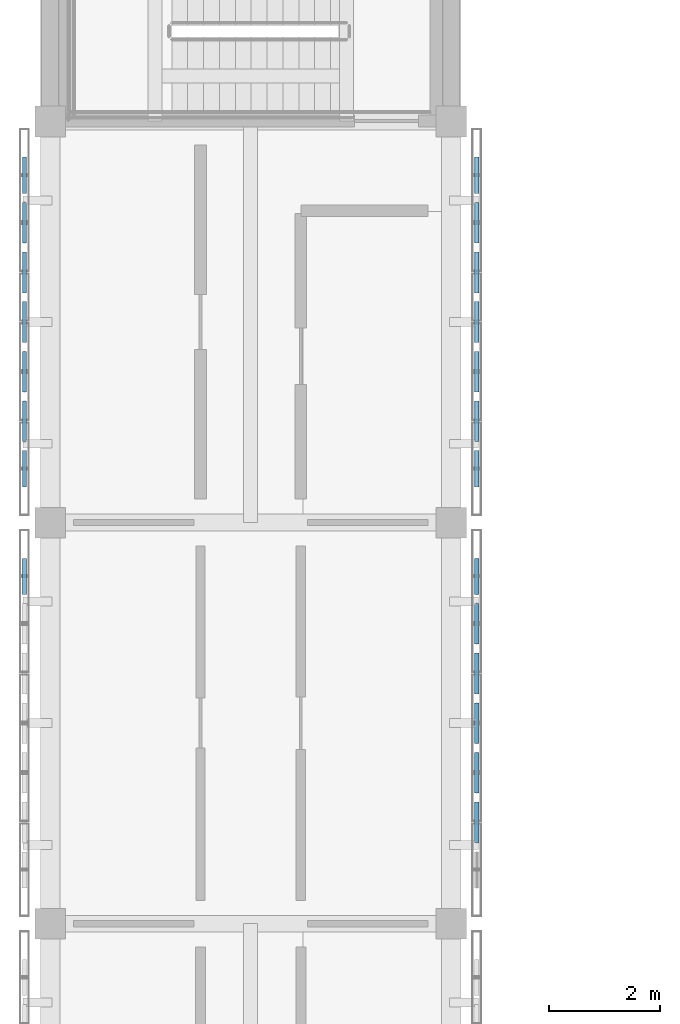
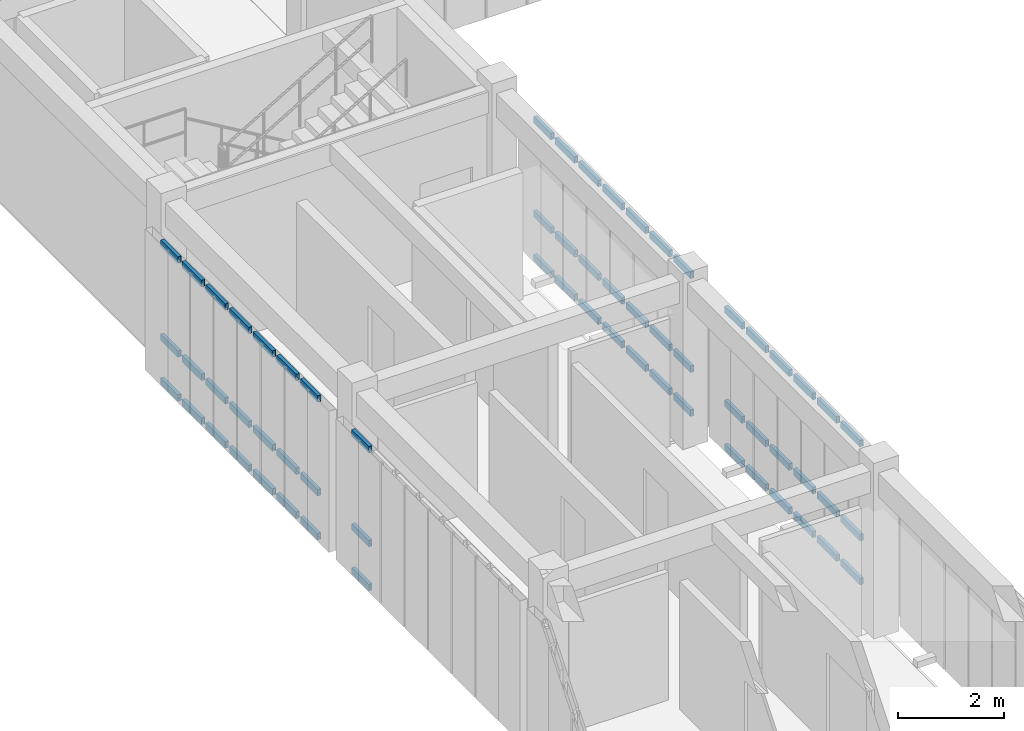
# One storey, part 8 of 33: 63 members, 4 elements without a shape of their own.
"""IFC4 building model written with IfcOpenShell, lengths in metres."""

from ifc_helpers import new_model, si_unit, direction, frame, origin, origin_2d, place, context, subcontext, project, spatial, hollow_rectangle, extrude, material, material_profile, profile_set, type_object, element, aggregate, save


model = new_model("IFC4")

# Units and contexts
model_context = context("Model", 3, precision=1e-05, world=origin(), true_north=direction((0.0, 1.0)))
body_context = subcontext(model_context, "Body", "Model", "MODEL_VIEW")
ifc_project = project(units=[si_unit("LENGTHUNIT", "METRE"), si_unit("AREAUNIT", "SQUARE_METRE"), si_unit("VOLUMEUNIT", "CUBIC_METRE"), si_unit("PLANEANGLEUNIT", "RADIAN"), si_unit("MASSUNIT", "GRAM", prefix="KILO")], contexts=[model_context])

# Site, building, storey
site_placement = place(None, origin())
site = spatial("IfcSite", under=ifc_project, at=site_placement, CompositionType="ELEMENT")
building_placement = place(site_placement, origin())
building = spatial("IfcBuilding", under=site, at=building_placement, Name="Aldebral Square Health Centre", CompositionType="ELEMENT")
storey_placement = place(building_placement, frame((0.0, 0.0, 17.550048828125)))
storey = spatial("IfcBuildingStorey", under=building, at=storey_placement, Name="L04", CompositionType="ELEMENT", Elevation=17.550048828125)

# Curtain wall, members
ifc_material_1 = material(Name="Aluminium and low-E solar glass", Category="aluminium")
curtain_wall_type = type_object("IfcCurtainWallType", Name="CW-FIN-SYS", PredefinedType="USERDEFINED", material=ifc_material_1)
curtain_wall_1_placement = place(storey_placement, origin())
curtain_wall_1 = element("IfcCurtainWall", 1, at=curtain_wall_1_placement, inside=storey, type_object=curtain_wall_type, Name="L04 V4 finned curtain wall L04-V4-00-11-W", ObjectType="SOLAR_CURTAIN_WALL", PredefinedType="USERDEFINED")
ifc_material_2 = material(Name="Anodised aluminium transom", Category="aluminium")
ifc_material_profile = material_profile(ifc_material_2, hollow_rectangle(XDim=0.074951171875, YDim=0.14990234375, WallThickness=0.00390625, at=origin_2d()), Name="CWT 75x150x4")
ifc_profile_set = profile_set([ifc_material_profile], Name="Anodised aluminium transom")
member_type = type_object("IfcMemberType", Name="CWT-STD", PredefinedType="USERDEFINED", material=ifc_profile_set)
member_1_placement = place(storey_placement, frame((-0.4599609375, 85.760009765625, 0.037353515625), z_axis=(0.0, -1.0, 0.0), x_axis=(1.0, 0.0, 0.0)))
member_1 = element("IfcMember", 2, at=member_1_placement, type_object=member_type, Name="CW1 transom 1.1", ObjectType="TRANSOM", PredefinedType="USERDEFINED", context=body_context, shape_type="SweptSolid", body=[
    extrude(hollow_rectangle(XDim=0.074951171875, YDim=0.14990234375, WallThickness=0.00390625, at=origin_2d()), origin(), (0.0, 0.0, 1.0), 0.6513671875),
])
member_2_placement = place(storey_placement, frame((-0.4599609375, 85.760009765625, 1.050048828125), z_axis=(0.0, -1.0, 0.0), x_axis=(1.0, 0.0, 0.0)))
member_2 = element("IfcMember", 3, at=member_2_placement, type_object=member_type, Name="CW1 transom 1.2", ObjectType="TRANSOM", PredefinedType="USERDEFINED", context=body_context, shape_type="SweptSolid", body=[
    extrude(hollow_rectangle(XDim=0.074951171875, YDim=0.14990234375, WallThickness=0.00390625, at=origin_2d()), origin(), (0.0, 0.0, 1.0), 0.6513671875),
])
member_3_placement = place(storey_placement, frame((-0.4599609375, 85.760009765625, 3.21240234375), z_axis=(0.0, -1.0, 0.0), x_axis=(1.0, 0.0, 0.0)))
member_3 = element("IfcMember", 4, at=member_3_placement, type_object=member_type, Name="CW1 transom 1.3", ObjectType="TRANSOM", PredefinedType="USERDEFINED", context=body_context, shape_type="SweptSolid", body=[
    extrude(hollow_rectangle(XDim=0.074951171875, YDim=0.14990234375, WallThickness=0.00390625, at=origin_2d()), origin(), (0.0, 0.0, 1.0), 0.6513671875),
])
aggregate(curtain_wall_1, [member_1, member_2, member_3])

curtain_wall_2_placement = place(storey_placement, origin())
curtain_wall_2 = element("IfcCurtainWall", 5, at=curtain_wall_2_placement, inside=storey, type_object=curtain_wall_type, Name="L04 V4 finned curtain wall L04-V4-00-11-E", ObjectType="SOLAR_CURTAIN_WALL", PredefinedType="USERDEFINED")
member_4_placement = place(storey_placement, frame((7.659912109375, 80.6513671875, 0.037353515625), z_axis=(0.0, 1.0, 0.0), x_axis=(-1.0, 0.0, 0.0)))
member_4 = element("IfcMember", 6, at=member_4_placement, type_object=member_type, Name="CW1 transom 2.1", ObjectType="TRANSOM", PredefinedType="USERDEFINED", context=body_context, shape_type="SweptSolid", body=[
    extrude(hollow_rectangle(XDim=0.074951171875, YDim=0.14990234375, WallThickness=0.00390625, at=origin_2d()), origin(), (0.0, 0.0, 1.0), 0.7314453125),
])
member_5_placement = place(storey_placement, frame((7.659912109375, 80.6513671875, 1.050048828125), z_axis=(0.0, 1.0, 0.0), x_axis=(-1.0, 0.0, 0.0)))
member_5 = element("IfcMember", 7, at=member_5_placement, type_object=member_type, Name="CW1 transom 2.2", ObjectType="TRANSOM", PredefinedType="USERDEFINED", context=body_context, shape_type="SweptSolid", body=[
    extrude(hollow_rectangle(XDim=0.074951171875, YDim=0.14990234375, WallThickness=0.00390625, at=origin_2d()), origin(), (0.0, 0.0, 1.0), 0.7314453125),
])
member_6_placement = place(storey_placement, frame((7.659912109375, 80.6513671875, 3.21240234375), z_axis=(0.0, 1.0, 0.0), x_axis=(-1.0, 0.0, 0.0)))
member_6 = element("IfcMember", 8, at=member_6_placement, type_object=member_type, Name="CW1 transom 2.3", ObjectType="TRANSOM", PredefinedType="USERDEFINED", context=body_context, shape_type="SweptSolid", body=[
    extrude(hollow_rectangle(XDim=0.074951171875, YDim=0.14990234375, WallThickness=0.00390625, at=origin_2d()), origin(), (0.0, 0.0, 1.0), 0.7314453125),
])
member_7_placement = place(storey_placement, frame((7.659912109375, 81.54296875, 0.037353515625), z_axis=(0.0, 1.0, 0.0), x_axis=(-1.0, 0.0, 0.0)))
member_7 = element("IfcMember", 9, at=member_7_placement, type_object=member_type, Name="CW1 transom 3.1", ObjectType="TRANSOM", PredefinedType="USERDEFINED", context=body_context, shape_type="SweptSolid", body=[
    extrude(hollow_rectangle(XDim=0.074951171875, YDim=0.14990234375, WallThickness=0.00390625, at=origin_2d()), origin(), (0.0, 0.0, 1.0), 0.731201171875),
])
member_8_placement = place(storey_placement, frame((7.659912109375, 81.54296875, 1.050048828125), z_axis=(0.0, 1.0, 0.0), x_axis=(-1.0, 0.0, 0.0)))
member_8 = element("IfcMember", 10, at=member_8_placement, type_object=member_type, Name="CW1 transom 3.2", ObjectType="TRANSOM", PredefinedType="USERDEFINED", context=body_context, shape_type="SweptSolid", body=[
    extrude(hollow_rectangle(XDim=0.074951171875, YDim=0.14990234375, WallThickness=0.00390625, at=origin_2d()), origin(), (0.0, 0.0, 1.0), 0.731201171875),
])
member_9_placement = place(storey_placement, frame((7.659912109375, 81.54296875, 3.21240234375), z_axis=(0.0, 1.0, 0.0), x_axis=(-1.0, 0.0, 0.0)))
member_9 = element("IfcMember", 11, at=member_9_placement, type_object=member_type, Name="CW1 transom 3.3", ObjectType="TRANSOM", PredefinedType="USERDEFINED", context=body_context, shape_type="SweptSolid", body=[
    extrude(hollow_rectangle(XDim=0.074951171875, YDim=0.14990234375, WallThickness=0.00390625, at=origin_2d()), origin(), (0.0, 0.0, 1.0), 0.731201171875),
])
member_10_placement = place(storey_placement, frame((7.659912109375, 82.434326171875, 0.037353515625), z_axis=(0.0, 1.0, 0.0), x_axis=(-1.0, 0.0, 0.0)))
member_10 = element("IfcMember", 12, at=member_10_placement, type_object=member_type, Name="CW1 transom 4.1", ObjectType="TRANSOM", PredefinedType="USERDEFINED", context=body_context, shape_type="SweptSolid", body=[
    extrude(hollow_rectangle(XDim=0.074951171875, YDim=0.14990234375, WallThickness=0.00390625, at=origin_2d()), origin(), (0.0, 0.0, 1.0), 0.7314453125),
])
member_11_placement = place(storey_placement, frame((7.659912109375, 82.434326171875, 1.050048828125), z_axis=(0.0, 1.0, 0.0), x_axis=(-1.0, 0.0, 0.0)))
member_11 = element("IfcMember", 13, at=member_11_placement, type_object=member_type, Name="CW1 transom 4.2", ObjectType="TRANSOM", PredefinedType="USERDEFINED", context=body_context, shape_type="SweptSolid", body=[
    extrude(hollow_rectangle(XDim=0.074951171875, YDim=0.14990234375, WallThickness=0.00390625, at=origin_2d()), origin(), (0.0, 0.0, 1.0), 0.7314453125),
])
member_12_placement = place(storey_placement, frame((7.659912109375, 82.434326171875, 3.21240234375), z_axis=(0.0, 1.0, 0.0), x_axis=(-1.0, 0.0, 0.0)))
member_12 = element("IfcMember", 14, at=member_12_placement, type_object=member_type, Name="CW1 transom 4.3", ObjectType="TRANSOM", PredefinedType="USERDEFINED", context=body_context, shape_type="SweptSolid", body=[
    extrude(hollow_rectangle(XDim=0.074951171875, YDim=0.14990234375, WallThickness=0.00390625, at=origin_2d()), origin(), (0.0, 0.0, 1.0), 0.7314453125),
])
member_13_placement = place(storey_placement, frame((7.659912109375, 83.32568359375, 0.037353515625), z_axis=(0.0, 1.0, 0.0), x_axis=(-1.0, 0.0, 0.0)))
member_13 = element("IfcMember", 15, at=member_13_placement, type_object=member_type, Name="CW1 transom 5.1", ObjectType="TRANSOM", PredefinedType="USERDEFINED", context=body_context, shape_type="SweptSolid", body=[
    extrude(hollow_rectangle(XDim=0.074951171875, YDim=0.14990234375, WallThickness=0.00390625, at=origin_2d()), origin(), (0.0, 0.0, 1.0), 0.7314453125),
])
member_14_placement = place(storey_placement, frame((7.659912109375, 83.32568359375, 1.050048828125), z_axis=(0.0, 1.0, 0.0), x_axis=(-1.0, 0.0, 0.0)))
member_14 = element("IfcMember", 16, at=member_14_placement, type_object=member_type, Name="CW1 transom 5.2", ObjectType="TRANSOM", PredefinedType="USERDEFINED", context=body_context, shape_type="SweptSolid", body=[
    extrude(hollow_rectangle(XDim=0.074951171875, YDim=0.14990234375, WallThickness=0.00390625, at=origin_2d()), origin(), (0.0, 0.0, 1.0), 0.7314453125),
])
member_15_placement = place(storey_placement, frame((7.659912109375, 83.32568359375, 3.21240234375), z_axis=(0.0, 1.0, 0.0), x_axis=(-1.0, 0.0, 0.0)))
member_15 = element("IfcMember", 17, at=member_15_placement, type_object=member_type, Name="CW1 transom 5.3", ObjectType="TRANSOM", PredefinedType="USERDEFINED", context=body_context, shape_type="SweptSolid", body=[
    extrude(hollow_rectangle(XDim=0.074951171875, YDim=0.14990234375, WallThickness=0.00390625, at=origin_2d()), origin(), (0.0, 0.0, 1.0), 0.7314453125),
])
member_16_placement = place(storey_placement, frame((7.659912109375, 84.217041015625, 0.037353515625), z_axis=(0.0, 1.0, 0.0), x_axis=(-1.0, 0.0, 0.0)))
member_16 = element("IfcMember", 18, at=member_16_placement, type_object=member_type, Name="CW1 transom 6.1", ObjectType="TRANSOM", PredefinedType="USERDEFINED", context=body_context, shape_type="SweptSolid", body=[
    extrude(hollow_rectangle(XDim=0.074951171875, YDim=0.14990234375, WallThickness=0.00390625, at=origin_2d()), origin(), (0.0, 0.0, 1.0), 0.7314453125),
])
member_17_placement = place(storey_placement, frame((7.659912109375, 84.217041015625, 1.050048828125), z_axis=(0.0, 1.0, 0.0), x_axis=(-1.0, 0.0, 0.0)))
member_17 = element("IfcMember", 19, at=member_17_placement, type_object=member_type, Name="CW1 transom 6.2", ObjectType="TRANSOM", PredefinedType="USERDEFINED", context=body_context, shape_type="SweptSolid", body=[
    extrude(hollow_rectangle(XDim=0.074951171875, YDim=0.14990234375, WallThickness=0.00390625, at=origin_2d()), origin(), (0.0, 0.0, 1.0), 0.7314453125),
])
member_18_placement = place(storey_placement, frame((7.659912109375, 84.217041015625, 3.21240234375), z_axis=(0.0, 1.0, 0.0), x_axis=(-1.0, 0.0, 0.0)))
member_18 = element("IfcMember", 20, at=member_18_placement, type_object=member_type, Name="CW1 transom 6.3", ObjectType="TRANSOM", PredefinedType="USERDEFINED", context=body_context, shape_type="SweptSolid", body=[
    extrude(hollow_rectangle(XDim=0.074951171875, YDim=0.14990234375, WallThickness=0.00390625, at=origin_2d()), origin(), (0.0, 0.0, 1.0), 0.7314453125),
])
member_19_placement = place(storey_placement, frame((7.659912109375, 85.108642578125, 0.037353515625), z_axis=(0.0, 1.0, 0.0), x_axis=(-1.0, 0.0, 0.0)))
member_19 = element("IfcMember", 21, at=member_19_placement, type_object=member_type, Name="CW1 transom 7.1", ObjectType="TRANSOM", PredefinedType="USERDEFINED", context=body_context, shape_type="SweptSolid", body=[
    extrude(hollow_rectangle(XDim=0.074951171875, YDim=0.14990234375, WallThickness=0.00390625, at=origin_2d()), origin(), (0.0, 0.0, 1.0), 0.6513671875),
])
member_20_placement = place(storey_placement, frame((7.659912109375, 85.108642578125, 1.050048828125), z_axis=(0.0, 1.0, 0.0), x_axis=(-1.0, 0.0, 0.0)))
member_20 = element("IfcMember", 22, at=member_20_placement, type_object=member_type, Name="CW1 transom 7.2", ObjectType="TRANSOM", PredefinedType="USERDEFINED", context=body_context, shape_type="SweptSolid", body=[
    extrude(hollow_rectangle(XDim=0.074951171875, YDim=0.14990234375, WallThickness=0.00390625, at=origin_2d()), origin(), (0.0, 0.0, 1.0), 0.6513671875),
])
member_21_placement = place(storey_placement, frame((7.659912109375, 85.108642578125, 3.21240234375), z_axis=(0.0, 1.0, 0.0), x_axis=(-1.0, 0.0, 0.0)))
member_21 = element("IfcMember", 23, at=member_21_placement, type_object=member_type, Name="CW1 transom 7.3", ObjectType="TRANSOM", PredefinedType="USERDEFINED", context=body_context, shape_type="SweptSolid", body=[
    extrude(hollow_rectangle(XDim=0.074951171875, YDim=0.14990234375, WallThickness=0.00390625, at=origin_2d()), origin(), (0.0, 0.0, 1.0), 0.6513671875),
])
aggregate(curtain_wall_2, [member_4, member_5, member_6, member_7, member_8, member_9, member_10, member_11, member_12, member_13, member_14, member_15, member_16, member_17, member_18, member_19, member_20, member_21])

curtain_wall_3_placement = place(storey_placement, origin())
curtain_wall_3 = element("IfcCurtainWall", 24, at=curtain_wall_3_placement, inside=storey, type_object=curtain_wall_type, Name="L04 V4 finned curtain wall L04-V4-00-12-W", ObjectType="SOLAR_CURTAIN_WALL", PredefinedType="USERDEFINED")
member_22_placement = place(storey_placement, frame((-0.4599609375, 92.9599609375, 0.037353515625), z_axis=(0.0, -1.0, 0.0), x_axis=(1.0, 0.0, 0.0)))
member_22 = element("IfcMember", 25, at=member_22_placement, type_object=member_type, Name="CW1 transom 1.1", ObjectType="TRANSOM", PredefinedType="USERDEFINED", context=body_context, shape_type="SweptSolid", body=[
    extrude(hollow_rectangle(XDim=0.074951171875, YDim=0.14990234375, WallThickness=0.00390625, at=origin_2d()), origin(), (0.0, 0.0, 1.0), 0.6513671875),
])
member_23_placement = place(storey_placement, frame((-0.4599609375, 92.9599609375, 1.050048828125), z_axis=(0.0, -1.0, 0.0), x_axis=(1.0, 0.0, 0.0)))
member_23 = element("IfcMember", 26, at=member_23_placement, type_object=member_type, Name="CW1 transom 1.2", ObjectType="TRANSOM", PredefinedType="USERDEFINED", context=body_context, shape_type="SweptSolid", body=[
    extrude(hollow_rectangle(XDim=0.074951171875, YDim=0.14990234375, WallThickness=0.00390625, at=origin_2d()), origin(), (0.0, 0.0, 1.0), 0.6513671875),
])
member_24_placement = place(storey_placement, frame((-0.4599609375, 92.9599609375, 3.21240234375), z_axis=(0.0, -1.0, 0.0), x_axis=(1.0, 0.0, 0.0)))
member_24 = element("IfcMember", 27, at=member_24_placement, type_object=member_type, Name="CW1 transom 1.3", ObjectType="TRANSOM", PredefinedType="USERDEFINED", context=body_context, shape_type="SweptSolid", body=[
    extrude(hollow_rectangle(XDim=0.074951171875, YDim=0.14990234375, WallThickness=0.00390625, at=origin_2d()), origin(), (0.0, 0.0, 1.0), 0.6513671875),
])
member_25_placement = place(storey_placement, frame((-0.4599609375, 92.148681640625, 0.037353515625), z_axis=(0.0, -1.0, 0.0), x_axis=(1.0, 0.0, 0.0)))
member_25 = element("IfcMember", 28, at=member_25_placement, type_object=member_type, Name="CW1 transom 2.1", ObjectType="TRANSOM", PredefinedType="USERDEFINED", context=body_context, shape_type="SweptSolid", body=[
    extrude(hollow_rectangle(XDim=0.074951171875, YDim=0.14990234375, WallThickness=0.00390625, at=origin_2d()), origin(), (0.0, 0.0, 1.0), 0.7314453125),
])
member_26_placement = place(storey_placement, frame((-0.4599609375, 92.148681640625, 1.050048828125), z_axis=(0.0, -1.0, 0.0), x_axis=(1.0, 0.0, 0.0)))
member_26 = element("IfcMember", 29, at=member_26_placement, type_object=member_type, Name="CW1 transom 2.2", ObjectType="TRANSOM", PredefinedType="USERDEFINED", context=body_context, shape_type="SweptSolid", body=[
    extrude(hollow_rectangle(XDim=0.074951171875, YDim=0.14990234375, WallThickness=0.00390625, at=origin_2d()), origin(), (0.0, 0.0, 1.0), 0.7314453125),
])
member_27_placement = place(storey_placement, frame((-0.4599609375, 92.148681640625, 3.21240234375), z_axis=(0.0, -1.0, 0.0), x_axis=(1.0, 0.0, 0.0)))
member_27 = element("IfcMember", 30, at=member_27_placement, type_object=member_type, Name="CW1 transom 2.3", ObjectType="TRANSOM", PredefinedType="USERDEFINED", context=body_context, shape_type="SweptSolid", body=[
    extrude(hollow_rectangle(XDim=0.074951171875, YDim=0.14990234375, WallThickness=0.00390625, at=origin_2d()), origin(), (0.0, 0.0, 1.0), 0.7314453125),
])
member_28_placement = place(storey_placement, frame((-0.4599609375, 91.257080078125, 0.037353515625), z_axis=(0.0, -1.0, 0.0), x_axis=(1.0, 0.0, 0.0)))
member_28 = element("IfcMember", 31, at=member_28_placement, type_object=member_type, Name="CW1 transom 3.1", ObjectType="TRANSOM", PredefinedType="USERDEFINED", context=body_context, shape_type="SweptSolid", body=[
    extrude(hollow_rectangle(XDim=0.074951171875, YDim=0.14990234375, WallThickness=0.00390625, at=origin_2d()), origin(), (0.0, 0.0, 1.0), 0.7314453125),
])
member_29_placement = place(storey_placement, frame((-0.4599609375, 91.257080078125, 1.050048828125), z_axis=(0.0, -1.0, 0.0), x_axis=(1.0, 0.0, 0.0)))
member_29 = element("IfcMember", 32, at=member_29_placement, type_object=member_type, Name="CW1 transom 3.2", ObjectType="TRANSOM", PredefinedType="USERDEFINED", context=body_context, shape_type="SweptSolid", body=[
    extrude(hollow_rectangle(XDim=0.074951171875, YDim=0.14990234375, WallThickness=0.00390625, at=origin_2d()), origin(), (0.0, 0.0, 1.0), 0.7314453125),
])
member_30_placement = place(storey_placement, frame((-0.4599609375, 91.257080078125, 3.21240234375), z_axis=(0.0, -1.0, 0.0), x_axis=(1.0, 0.0, 0.0)))
member_30 = element("IfcMember", 33, at=member_30_placement, type_object=member_type, Name="CW1 transom 3.3", ObjectType="TRANSOM", PredefinedType="USERDEFINED", context=body_context, shape_type="SweptSolid", body=[
    extrude(hollow_rectangle(XDim=0.074951171875, YDim=0.14990234375, WallThickness=0.00390625, at=origin_2d()), origin(), (0.0, 0.0, 1.0), 0.7314453125),
])
member_31_placement = place(storey_placement, frame((-0.4599609375, 90.36572265625, 0.037353515625), z_axis=(0.0, -1.0, 0.0), x_axis=(1.0, 0.0, 0.0)))
member_31 = element("IfcMember", 34, at=member_31_placement, type_object=member_type, Name="CW1 transom 4.1", ObjectType="TRANSOM", PredefinedType="USERDEFINED", context=body_context, shape_type="SweptSolid", body=[
    extrude(hollow_rectangle(XDim=0.074951171875, YDim=0.14990234375, WallThickness=0.00390625, at=origin_2d()), origin(), (0.0, 0.0, 1.0), 0.7314453125),
])
member_32_placement = place(storey_placement, frame((-0.4599609375, 90.36572265625, 1.050048828125), z_axis=(0.0, -1.0, 0.0), x_axis=(1.0, 0.0, 0.0)))
member_32 = element("IfcMember", 35, at=member_32_placement, type_object=member_type, Name="CW1 transom 4.2", ObjectType="TRANSOM", PredefinedType="USERDEFINED", context=body_context, shape_type="SweptSolid", body=[
    extrude(hollow_rectangle(XDim=0.074951171875, YDim=0.14990234375, WallThickness=0.00390625, at=origin_2d()), origin(), (0.0, 0.0, 1.0), 0.7314453125),
])
member_33_placement = place(storey_placement, frame((-0.4599609375, 90.36572265625, 3.21240234375), z_axis=(0.0, -1.0, 0.0), x_axis=(1.0, 0.0, 0.0)))
member_33 = element("IfcMember", 36, at=member_33_placement, type_object=member_type, Name="CW1 transom 4.3", ObjectType="TRANSOM", PredefinedType="USERDEFINED", context=body_context, shape_type="SweptSolid", body=[
    extrude(hollow_rectangle(XDim=0.074951171875, YDim=0.14990234375, WallThickness=0.00390625, at=origin_2d()), origin(), (0.0, 0.0, 1.0), 0.7314453125),
])
member_34_placement = place(storey_placement, frame((-0.4599609375, 89.474365234375, 0.037353515625), z_axis=(0.0, -1.0, 0.0), x_axis=(1.0, 0.0, 0.0)))
member_34 = element("IfcMember", 37, at=member_34_placement, type_object=member_type, Name="CW1 transom 5.1", ObjectType="TRANSOM", PredefinedType="USERDEFINED", context=body_context, shape_type="SweptSolid", body=[
    extrude(hollow_rectangle(XDim=0.074951171875, YDim=0.14990234375, WallThickness=0.00390625, at=origin_2d()), origin(), (0.0, 0.0, 1.0), 0.7314453125),
])
member_35_placement = place(storey_placement, frame((-0.4599609375, 89.474365234375, 1.050048828125), z_axis=(0.0, -1.0, 0.0), x_axis=(1.0, 0.0, 0.0)))
member_35 = element("IfcMember", 38, at=member_35_placement, type_object=member_type, Name="CW1 transom 5.2", ObjectType="TRANSOM", PredefinedType="USERDEFINED", context=body_context, shape_type="SweptSolid", body=[
    extrude(hollow_rectangle(XDim=0.074951171875, YDim=0.14990234375, WallThickness=0.00390625, at=origin_2d()), origin(), (0.0, 0.0, 1.0), 0.7314453125),
])
member_36_placement = place(storey_placement, frame((-0.4599609375, 89.474365234375, 3.21240234375), z_axis=(0.0, -1.0, 0.0), x_axis=(1.0, 0.0, 0.0)))
member_36 = element("IfcMember", 39, at=member_36_placement, type_object=member_type, Name="CW1 transom 5.3", ObjectType="TRANSOM", PredefinedType="USERDEFINED", context=body_context, shape_type="SweptSolid", body=[
    extrude(hollow_rectangle(XDim=0.074951171875, YDim=0.14990234375, WallThickness=0.00390625, at=origin_2d()), origin(), (0.0, 0.0, 1.0), 0.7314453125),
])
member_37_placement = place(storey_placement, frame((-0.4599609375, 88.582763671875, 0.037353515625), z_axis=(0.0, -1.0, 0.0), x_axis=(1.0, 0.0, 0.0)))
member_37 = element("IfcMember", 40, at=member_37_placement, type_object=member_type, Name="CW1 transom 6.1", ObjectType="TRANSOM", PredefinedType="USERDEFINED", context=body_context, shape_type="SweptSolid", body=[
    extrude(hollow_rectangle(XDim=0.074951171875, YDim=0.14990234375, WallThickness=0.00390625, at=origin_2d()), origin(), (0.0, 0.0, 1.0), 0.7314453125),
])
member_38_placement = place(storey_placement, frame((-0.4599609375, 88.582763671875, 1.050048828125), z_axis=(0.0, -1.0, 0.0), x_axis=(1.0, 0.0, 0.0)))
member_38 = element("IfcMember", 41, at=member_38_placement, type_object=member_type, Name="CW1 transom 6.2", ObjectType="TRANSOM", PredefinedType="USERDEFINED", context=body_context, shape_type="SweptSolid", body=[
    extrude(hollow_rectangle(XDim=0.074951171875, YDim=0.14990234375, WallThickness=0.00390625, at=origin_2d()), origin(), (0.0, 0.0, 1.0), 0.7314453125),
])
member_39_placement = place(storey_placement, frame((-0.4599609375, 88.582763671875, 3.21240234375), z_axis=(0.0, -1.0, 0.0), x_axis=(1.0, 0.0, 0.0)))
member_39 = element("IfcMember", 42, at=member_39_placement, type_object=member_type, Name="CW1 transom 6.3", ObjectType="TRANSOM", PredefinedType="USERDEFINED", context=body_context, shape_type="SweptSolid", body=[
    extrude(hollow_rectangle(XDim=0.074951171875, YDim=0.14990234375, WallThickness=0.00390625, at=origin_2d()), origin(), (0.0, 0.0, 1.0), 0.7314453125),
])
member_40_placement = place(storey_placement, frame((-0.4599609375, 87.69140625, 0.037353515625), z_axis=(0.0, -1.0, 0.0), x_axis=(1.0, 0.0, 0.0)))
member_40 = element("IfcMember", 43, at=member_40_placement, type_object=member_type, Name="CW1 transom 7.1", ObjectType="TRANSOM", PredefinedType="USERDEFINED", context=body_context, shape_type="SweptSolid", body=[
    extrude(hollow_rectangle(XDim=0.074951171875, YDim=0.14990234375, WallThickness=0.00390625, at=origin_2d()), origin(), (0.0, 0.0, 1.0), 0.6513671875),
])
member_41_placement = place(storey_placement, frame((-0.4599609375, 87.69140625, 1.050048828125), z_axis=(0.0, -1.0, 0.0), x_axis=(1.0, 0.0, 0.0)))
member_41 = element("IfcMember", 44, at=member_41_placement, type_object=member_type, Name="CW1 transom 7.2", ObjectType="TRANSOM", PredefinedType="USERDEFINED", context=body_context, shape_type="SweptSolid", body=[
    extrude(hollow_rectangle(XDim=0.074951171875, YDim=0.14990234375, WallThickness=0.00390625, at=origin_2d()), origin(), (0.0, 0.0, 1.0), 0.6513671875),
])
member_42_placement = place(storey_placement, frame((-0.4599609375, 87.69140625, 3.21240234375), z_axis=(0.0, -1.0, 0.0), x_axis=(1.0, 0.0, 0.0)))
member_42 = element("IfcMember", 45, at=member_42_placement, type_object=member_type, Name="CW1 transom 7.3", ObjectType="TRANSOM", PredefinedType="USERDEFINED", context=body_context, shape_type="SweptSolid", body=[
    extrude(hollow_rectangle(XDim=0.074951171875, YDim=0.14990234375, WallThickness=0.00390625, at=origin_2d()), origin(), (0.0, 0.0, 1.0), 0.6513671875),
])
aggregate(curtain_wall_3, [member_22, member_23, member_24, member_25, member_26, member_27, member_28, member_29, member_30, member_31, member_32, member_33, member_34, member_35, member_36, member_37, member_38, member_39, member_40, member_41, member_42])

curtain_wall_4_placement = place(storey_placement, origin())
curtain_wall_4 = element("IfcCurtainWall", 46, at=curtain_wall_4_placement, inside=storey, type_object=curtain_wall_type, Name="L04 V4 finned curtain wall L04-V4-00-12-E", ObjectType="SOLAR_CURTAIN_WALL", PredefinedType="USERDEFINED")
member_43_placement = place(storey_placement, frame((7.659912109375, 87.0400390625, 0.037353515625), z_axis=(0.0, 1.0, 0.0), x_axis=(-1.0, 0.0, 0.0)))
member_43 = element("IfcMember", 47, at=member_43_placement, type_object=member_type, Name="CW1 transom 1.1", ObjectType="TRANSOM", PredefinedType="USERDEFINED", context=body_context, shape_type="SweptSolid", body=[
    extrude(hollow_rectangle(XDim=0.074951171875, YDim=0.14990234375, WallThickness=0.00390625, at=origin_2d()), origin(), (0.0, 0.0, 1.0), 0.6513671875),
])
member_44_placement = place(storey_placement, frame((7.659912109375, 87.0400390625, 1.050048828125), z_axis=(0.0, 1.0, 0.0), x_axis=(-1.0, 0.0, 0.0)))
member_44 = element("IfcMember", 48, at=member_44_placement, type_object=member_type, Name="CW1 transom 1.2", ObjectType="TRANSOM", PredefinedType="USERDEFINED", context=body_context, shape_type="SweptSolid", body=[
    extrude(hollow_rectangle(XDim=0.074951171875, YDim=0.14990234375, WallThickness=0.00390625, at=origin_2d()), origin(), (0.0, 0.0, 1.0), 0.6513671875),
])
member_45_placement = place(storey_placement, frame((7.659912109375, 87.0400390625, 3.21240234375), z_axis=(0.0, 1.0, 0.0), x_axis=(-1.0, 0.0, 0.0)))
member_45 = element("IfcMember", 49, at=member_45_placement, type_object=member_type, Name="CW1 transom 1.3", ObjectType="TRANSOM", PredefinedType="USERDEFINED", context=body_context, shape_type="SweptSolid", body=[
    extrude(hollow_rectangle(XDim=0.074951171875, YDim=0.14990234375, WallThickness=0.00390625, at=origin_2d()), origin(), (0.0, 0.0, 1.0), 0.6513671875),
])
member_46_placement = place(storey_placement, frame((7.659912109375, 87.851318359375, 0.037353515625), z_axis=(0.0, 1.0, 0.0), x_axis=(-1.0, 0.0, 0.0)))
member_46 = element("IfcMember", 50, at=member_46_placement, type_object=member_type, Name="CW1 transom 2.1", ObjectType="TRANSOM", PredefinedType="USERDEFINED", context=body_context, shape_type="SweptSolid", body=[
    extrude(hollow_rectangle(XDim=0.074951171875, YDim=0.14990234375, WallThickness=0.00390625, at=origin_2d()), origin(), (0.0, 0.0, 1.0), 0.7314453125),
])
member_47_placement = place(storey_placement, frame((7.659912109375, 87.851318359375, 1.050048828125), z_axis=(0.0, 1.0, 0.0), x_axis=(-1.0, 0.0, 0.0)))
member_47 = element("IfcMember", 51, at=member_47_placement, type_object=member_type, Name="CW1 transom 2.2", ObjectType="TRANSOM", PredefinedType="USERDEFINED", context=body_context, shape_type="SweptSolid", body=[
    extrude(hollow_rectangle(XDim=0.074951171875, YDim=0.14990234375, WallThickness=0.00390625, at=origin_2d()), origin(), (0.0, 0.0, 1.0), 0.7314453125),
])
member_48_placement = place(storey_placement, frame((7.659912109375, 87.851318359375, 3.21240234375), z_axis=(0.0, 1.0, 0.0), x_axis=(-1.0, 0.0, 0.0)))
member_48 = element("IfcMember", 52, at=member_48_placement, type_object=member_type, Name="CW1 transom 2.3", ObjectType="TRANSOM", PredefinedType="USERDEFINED", context=body_context, shape_type="SweptSolid", body=[
    extrude(hollow_rectangle(XDim=0.074951171875, YDim=0.14990234375, WallThickness=0.00390625, at=origin_2d()), origin(), (0.0, 0.0, 1.0), 0.7314453125),
])
member_49_placement = place(storey_placement, frame((7.659912109375, 88.742919921875, 0.037353515625), z_axis=(0.0, 1.0, 0.0), x_axis=(-1.0, 0.0, 0.0)))
member_49 = element("IfcMember", 53, at=member_49_placement, type_object=member_type, Name="CW1 transom 3.1", ObjectType="TRANSOM", PredefinedType="USERDEFINED", context=body_context, shape_type="SweptSolid", body=[
    extrude(hollow_rectangle(XDim=0.074951171875, YDim=0.14990234375, WallThickness=0.00390625, at=origin_2d()), origin(), (0.0, 0.0, 1.0), 0.7314453125),
])
member_50_placement = place(storey_placement, frame((7.659912109375, 88.742919921875, 1.050048828125), z_axis=(0.0, 1.0, 0.0), x_axis=(-1.0, 0.0, 0.0)))
member_50 = element("IfcMember", 54, at=member_50_placement, type_object=member_type, Name="CW1 transom 3.2", ObjectType="TRANSOM", PredefinedType="USERDEFINED", context=body_context, shape_type="SweptSolid", body=[
    extrude(hollow_rectangle(XDim=0.074951171875, YDim=0.14990234375, WallThickness=0.00390625, at=origin_2d()), origin(), (0.0, 0.0, 1.0), 0.7314453125),
])
member_51_placement = place(storey_placement, frame((7.659912109375, 88.742919921875, 3.21240234375), z_axis=(0.0, 1.0, 0.0), x_axis=(-1.0, 0.0, 0.0)))
member_51 = element("IfcMember", 55, at=member_51_placement, type_object=member_type, Name="CW1 transom 3.3", ObjectType="TRANSOM", PredefinedType="USERDEFINED", context=body_context, shape_type="SweptSolid", body=[
    extrude(hollow_rectangle(XDim=0.074951171875, YDim=0.14990234375, WallThickness=0.00390625, at=origin_2d()), origin(), (0.0, 0.0, 1.0), 0.7314453125),
])
member_52_placement = place(storey_placement, frame((7.659912109375, 89.63427734375, 0.037353515625), z_axis=(0.0, 1.0, 0.0), x_axis=(-1.0, 0.0, 0.0)))
member_52 = element("IfcMember", 56, at=member_52_placement, type_object=member_type, Name="CW1 transom 4.1", ObjectType="TRANSOM", PredefinedType="USERDEFINED", context=body_context, shape_type="SweptSolid", body=[
    extrude(hollow_rectangle(XDim=0.074951171875, YDim=0.14990234375, WallThickness=0.00390625, at=origin_2d()), origin(), (0.0, 0.0, 1.0), 0.7314453125),
])
member_53_placement = place(storey_placement, frame((7.659912109375, 89.63427734375, 1.050048828125), z_axis=(0.0, 1.0, 0.0), x_axis=(-1.0, 0.0, 0.0)))
member_53 = element("IfcMember", 57, at=member_53_placement, type_object=member_type, Name="CW1 transom 4.2", ObjectType="TRANSOM", PredefinedType="USERDEFINED", context=body_context, shape_type="SweptSolid", body=[
    extrude(hollow_rectangle(XDim=0.074951171875, YDim=0.14990234375, WallThickness=0.00390625, at=origin_2d()), origin(), (0.0, 0.0, 1.0), 0.7314453125),
])
member_54_placement = place(storey_placement, frame((7.659912109375, 89.63427734375, 3.21240234375), z_axis=(0.0, 1.0, 0.0), x_axis=(-1.0, 0.0, 0.0)))
member_54 = element("IfcMember", 58, at=member_54_placement, type_object=member_type, Name="CW1 transom 4.3", ObjectType="TRANSOM", PredefinedType="USERDEFINED", context=body_context, shape_type="SweptSolid", body=[
    extrude(hollow_rectangle(XDim=0.074951171875, YDim=0.14990234375, WallThickness=0.00390625, at=origin_2d()), origin(), (0.0, 0.0, 1.0), 0.7314453125),
])
member_55_placement = place(storey_placement, frame((7.659912109375, 90.525634765625, 0.037353515625), z_axis=(0.0, 1.0, 0.0), x_axis=(-1.0, 0.0, 0.0)))
member_55 = element("IfcMember", 59, at=member_55_placement, type_object=member_type, Name="CW1 transom 5.1", ObjectType="TRANSOM", PredefinedType="USERDEFINED", context=body_context, shape_type="SweptSolid", body=[
    extrude(hollow_rectangle(XDim=0.074951171875, YDim=0.14990234375, WallThickness=0.00390625, at=origin_2d()), origin(), (0.0, 0.0, 1.0), 0.7314453125),
])
member_56_placement = place(storey_placement, frame((7.659912109375, 90.525634765625, 1.050048828125), z_axis=(0.0, 1.0, 0.0), x_axis=(-1.0, 0.0, 0.0)))
member_56 = element("IfcMember", 60, at=member_56_placement, type_object=member_type, Name="CW1 transom 5.2", ObjectType="TRANSOM", PredefinedType="USERDEFINED", context=body_context, shape_type="SweptSolid", body=[
    extrude(hollow_rectangle(XDim=0.074951171875, YDim=0.14990234375, WallThickness=0.00390625, at=origin_2d()), origin(), (0.0, 0.0, 1.0), 0.7314453125),
])
member_57_placement = place(storey_placement, frame((7.659912109375, 90.525634765625, 3.21240234375), z_axis=(0.0, 1.0, 0.0), x_axis=(-1.0, 0.0, 0.0)))
member_57 = element("IfcMember", 61, at=member_57_placement, type_object=member_type, Name="CW1 transom 5.3", ObjectType="TRANSOM", PredefinedType="USERDEFINED", context=body_context, shape_type="SweptSolid", body=[
    extrude(hollow_rectangle(XDim=0.074951171875, YDim=0.14990234375, WallThickness=0.00390625, at=origin_2d()), origin(), (0.0, 0.0, 1.0), 0.7314453125),
])
member_58_placement = place(storey_placement, frame((7.659912109375, 91.417236328125, 0.037353515625), z_axis=(0.0, 1.0, 0.0), x_axis=(-1.0, 0.0, 0.0)))
member_58 = element("IfcMember", 62, at=member_58_placement, type_object=member_type, Name="CW1 transom 6.1", ObjectType="TRANSOM", PredefinedType="USERDEFINED", context=body_context, shape_type="SweptSolid", body=[
    extrude(hollow_rectangle(XDim=0.074951171875, YDim=0.14990234375, WallThickness=0.00390625, at=origin_2d()), origin(), (0.0, 0.0, 1.0), 0.7314453125),
])
member_59_placement = place(storey_placement, frame((7.659912109375, 91.417236328125, 1.050048828125), z_axis=(0.0, 1.0, 0.0), x_axis=(-1.0, 0.0, 0.0)))
member_59 = element("IfcMember", 63, at=member_59_placement, type_object=member_type, Name="CW1 transom 6.2", ObjectType="TRANSOM", PredefinedType="USERDEFINED", context=body_context, shape_type="SweptSolid", body=[
    extrude(hollow_rectangle(XDim=0.074951171875, YDim=0.14990234375, WallThickness=0.00390625, at=origin_2d()), origin(), (0.0, 0.0, 1.0), 0.7314453125),
])
member_60_placement = place(storey_placement, frame((7.659912109375, 91.417236328125, 3.21240234375), z_axis=(0.0, 1.0, 0.0), x_axis=(-1.0, 0.0, 0.0)))
member_60 = element("IfcMember", 64, at=member_60_placement, type_object=member_type, Name="CW1 transom 6.3", ObjectType="TRANSOM", PredefinedType="USERDEFINED", context=body_context, shape_type="SweptSolid", body=[
    extrude(hollow_rectangle(XDim=0.074951171875, YDim=0.14990234375, WallThickness=0.00390625, at=origin_2d()), origin(), (0.0, 0.0, 1.0), 0.7314453125),
])
member_61_placement = place(storey_placement, frame((7.659912109375, 92.30859375, 0.037353515625), z_axis=(0.0, 1.0, 0.0), x_axis=(-1.0, 0.0, 0.0)))
member_61 = element("IfcMember", 65, at=member_61_placement, type_object=member_type, Name="CW1 transom 7.1", ObjectType="TRANSOM", PredefinedType="USERDEFINED", context=body_context, shape_type="SweptSolid", body=[
    extrude(hollow_rectangle(XDim=0.074951171875, YDim=0.14990234375, WallThickness=0.00390625, at=origin_2d()), origin(), (0.0, 0.0, 1.0), 0.6513671875),
])
member_62_placement = place(storey_placement, frame((7.659912109375, 92.30859375, 1.050048828125), z_axis=(0.0, 1.0, 0.0), x_axis=(-1.0, 0.0, 0.0)))
member_62 = element("IfcMember", 66, at=member_62_placement, type_object=member_type, Name="CW1 transom 7.2", ObjectType="TRANSOM", PredefinedType="USERDEFINED", context=body_context, shape_type="SweptSolid", body=[
    extrude(hollow_rectangle(XDim=0.074951171875, YDim=0.14990234375, WallThickness=0.00390625, at=origin_2d()), origin(), (0.0, 0.0, 1.0), 0.6513671875),
])
member_63_placement = place(storey_placement, frame((7.659912109375, 92.30859375, 3.21240234375), z_axis=(0.0, 1.0, 0.0), x_axis=(-1.0, 0.0, 0.0)))
member_63 = element("IfcMember", 67, at=member_63_placement, type_object=member_type, Name="CW1 transom 7.3", ObjectType="TRANSOM", PredefinedType="USERDEFINED", context=body_context, shape_type="SweptSolid", body=[
    extrude(hollow_rectangle(XDim=0.074951171875, YDim=0.14990234375, WallThickness=0.00390625, at=origin_2d()), origin(), (0.0, 0.0, 1.0), 0.6513671875),
])
aggregate(curtain_wall_4, [member_43, member_44, member_45, member_46, member_47, member_48, member_49, member_50, member_51, member_52, member_53, member_54, member_55, member_56, member_57, member_58, member_59, member_60, member_61, member_62, member_63])

save(model, "model.ifc")
